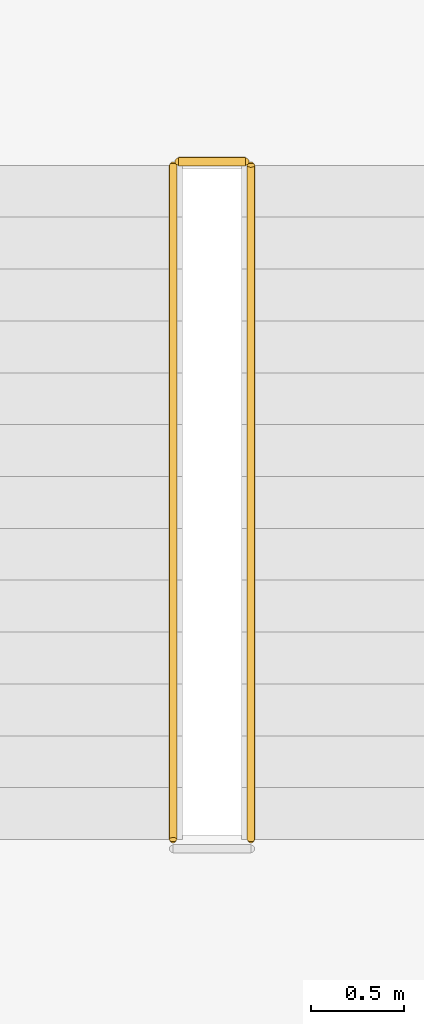
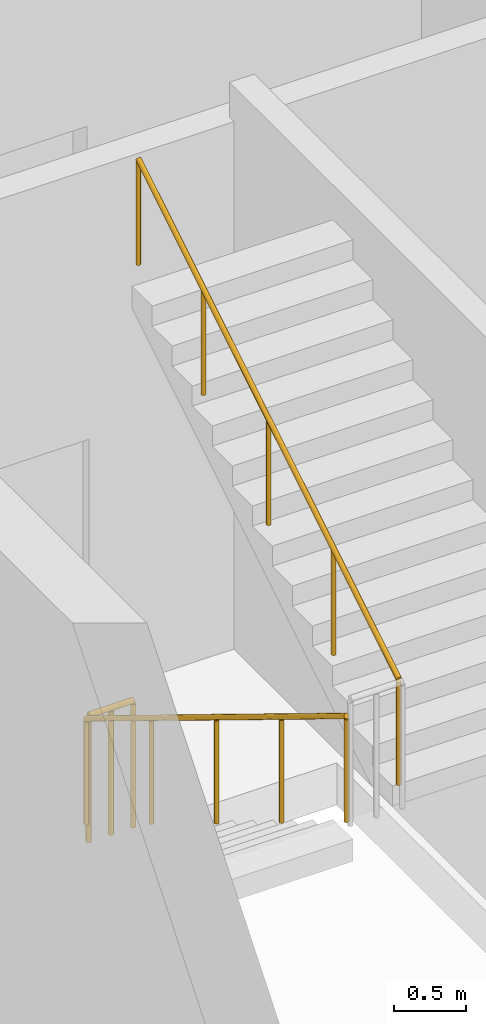
# One storey, part 77 of 89: 3 railings.
"""IFC4 building model written with IfcOpenShell, lengths in metres."""

from ifc_helpers import new_model, si_unit, direction, frame, origin, origin_2d, place, context, subcontext, project, spatial, circle, extrude, material, type_object, element, save


model = new_model("IFC4")

# Units and contexts
model_context = context("Model", 3, precision=1e-05, world=origin(), true_north=direction((0.0, 1.0)))
body_context = subcontext(model_context, "Body", "Model", "MODEL_VIEW")
ifc_project = project(units=[si_unit("LENGTHUNIT", "METRE"), si_unit("AREAUNIT", "SQUARE_METRE"), si_unit("VOLUMEUNIT", "CUBIC_METRE"), si_unit("PLANEANGLEUNIT", "RADIAN"), si_unit("MASSUNIT", "GRAM", prefix="KILO")], contexts=[model_context])

# Site, building, storey
site_placement = place(None, origin())
site = spatial("IfcSite", under=ifc_project, at=site_placement, CompositionType="ELEMENT")
building_placement = place(site_placement, origin())
building = spatial("IfcBuilding", under=site, at=building_placement, Name="Dornveld Trade and Exhibition Forum", CompositionType="ELEMENT")
storey_placement = place(building_placement, frame((0.0, 0.0, 12.0)))
storey = spatial("IfcBuildingStorey", under=building, at=storey_placement, Name="L02", CompositionType="ELEMENT", Elevation=12.0)

# Railings
ifc_material_1 = material(Name="Brushed stainless steel handrail", Category="steel")
railing_type_1 = type_object("IfcRailingType", Name="RL-HAND-920", PredefinedType="HANDRAIL", material=ifc_material_1)
railing_1_placement = place(storey_placement, frame((128.639892578125, 99.35009765625, 0.17138671875)))
element("IfcRailing", 1, at=railing_1_placement, inside=storey, type_object=railing_type_1, Name="ST-02-L02 flight 1 handrail", PredefinedType="HANDRAIL", context=body_context, shape_type="SweptSolid", body=[
    extrude(circle(Radius=0.02099609375, at=origin_2d()), frame((0.0, 0.0, 0.89892578125), z_axis=(0.0, -0.852865859571, 0.52213008492), x_axis=(1.0, 0.0, 0.0)), (0.0, 0.0, 1.0), 4.26806640625),
    extrude(circle(Radius=0.01806640625, at=origin_2d()), origin(), (0.0, 0.0, 1.0), 0.8779296875),
    extrude(circle(Radius=0.01806640625, at=origin_2d()), frame((0.0, -0.91015625, 0.55712890625)), (0.0, 0.0, 1.0), 0.8779296875),
    extrude(circle(Radius=0.01806640625, at=origin_2d()), frame((0.0, -1.820068359375, 1.1142578125)), (0.0, 0.0, 1.0), 0.8779296875),
    extrude(circle(Radius=0.01806640625, at=origin_2d()), frame((0.0, -2.72998046875, 1.67138671875)), (0.0, 0.0, 1.0), 0.8779296875),
    extrude(circle(Radius=0.01806640625, at=origin_2d()), frame((0.0, -3.64013671875, 2.228515625)), (0.0, 0.0, 1.0), 0.8779296875),
])
railing_2_placement = place(storey_placement, frame((129.06005859375, 95.7099609375, 2.5712890625)))
element("IfcRailing", 2, at=railing_2_placement, inside=storey, type_object=railing_type_1, Name="ST-02-L02 flight 2 handrail", PredefinedType="HANDRAIL", context=body_context, shape_type="SweptSolid", body=[
    extrude(circle(Radius=0.02099609375, at=origin_2d()), frame((0.0, 0.0, 0.89892578125), z_axis=(0.0, 0.852840387347, 0.522171689878), x_axis=(-1.0, 0.0, 0.0)), (0.0, 0.0, 1.0), 4.268310546875),
    extrude(circle(Radius=0.01806640625, at=origin_2d()), origin(), (0.0, 0.0, 1.0), 0.8779296875),
    extrude(circle(Radius=0.01806640625, at=origin_2d()), frame((0.0, 0.91015625, 0.55712890625)), (0.0, 0.0, 1.0), 0.8779296875),
    extrude(circle(Radius=0.01806640625, at=origin_2d()), frame((0.0, 1.820068359375, 1.1142578125)), (0.0, 0.0, 1.0), 0.8779296875),
    extrude(circle(Radius=0.01806640625, at=origin_2d()), frame((0.0, 2.72998046875, 1.671630859375)), (0.0, 0.0, 1.0), 0.8779296875),
    extrude(circle(Radius=0.01806640625, at=origin_2d()), frame((0.0, 3.64013671875, 2.228759765625)), (0.0, 0.0, 1.0), 0.8779296875),
])
ifc_material_2 = material(Name="Painted steel S355J2 stair-well guard", Category="steel")
railing_type_2 = type_object("IfcRailingType", Name="RL-WELL-110", PredefinedType="GUARDRAIL", material=ifc_material_2)
railing_3_placement = place(storey_placement, frame((128.669921875, 99.3701171875, 0.0)))
element("IfcRailing", 3, at=railing_3_placement, inside=storey, type_object=railing_type_2, Name="CORE-02 L02 stair-slot floor guard", PredefinedType="GUARDRAIL", context=body_context, shape_type="SweptSolid", body=[
    extrude(circle(Radius=0.02392578125, at=origin_2d()), frame((0.0, 0.0, 1.076171875), z_axis=(1.0, 0.0, 0.0), x_axis=(0.0, 1.0, 0.0)), (0.0, 0.0, 1.0), 0.360107421875),
    extrude(circle(Radius=0.02001953125, at=origin_2d()), origin(), (0.0, 0.0, 1.0), 1.052001953125),
    extrude(circle(Radius=0.02001953125, at=origin_2d()), frame((0.18017578125, 0.0, 0.0)), (0.0, 0.0, 1.0), 1.052001953125),
    extrude(circle(Radius=0.02001953125, at=origin_2d()), frame((0.360107421875, 0.0, 0.0)), (0.0, 0.0, 1.0), 1.052001953125),
])

save(model, "model.ifc")
